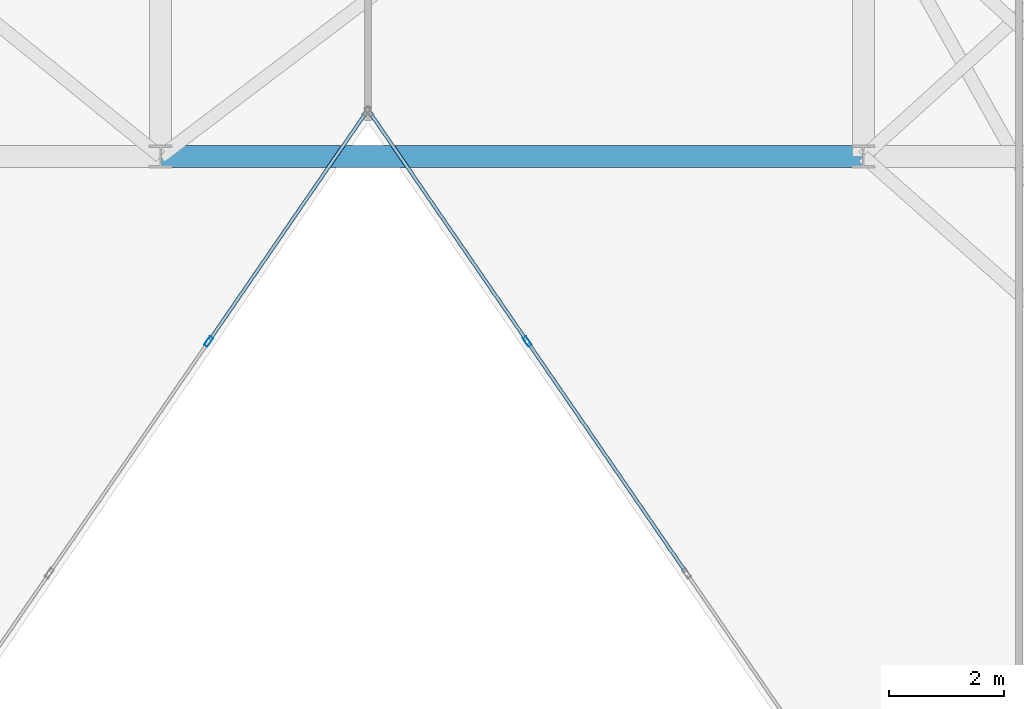
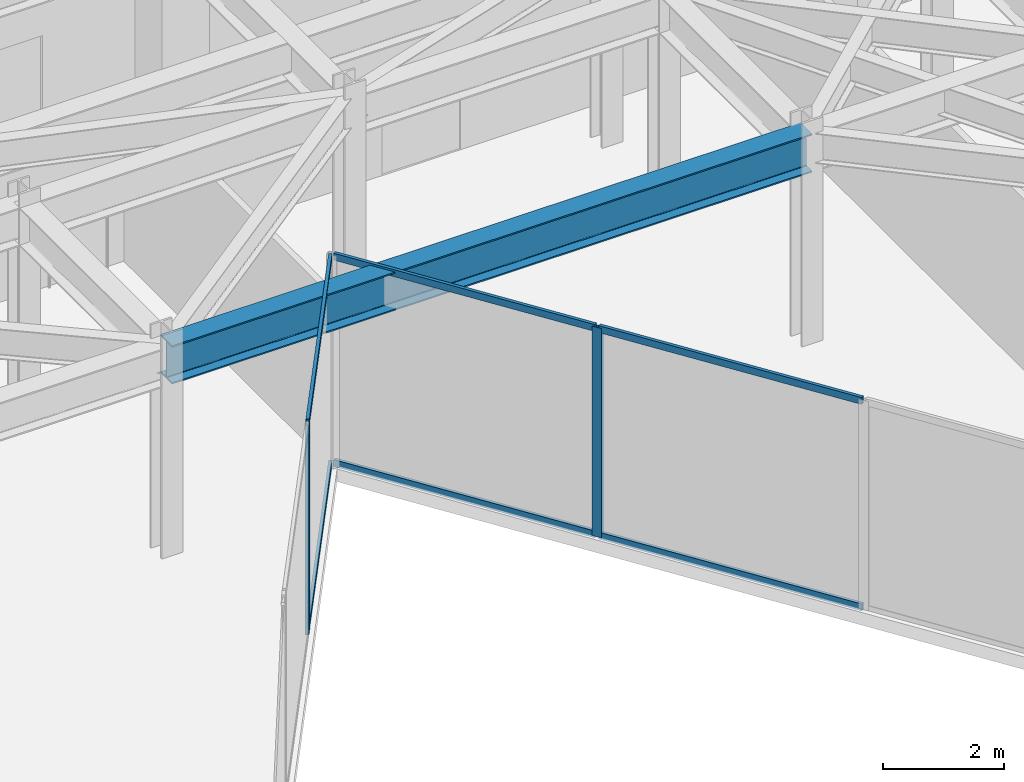
# One storey, part 7 of 25: 8 members, 1 beam, 2 elements without a shape of their own.
"""IFC4 building model written with IfcOpenShell, lengths in metres."""

from ifc_helpers import new_model, si_unit, direction, frame, origin, origin_2d, place, context, subcontext, project, spatial, hollow_rectangle, i_section, extrude, material, layer, layer_set, material_profile, profile_set, type_object, element, aggregate, save


model = new_model("IFC4")

# Units and contexts
model_context = context("Model", 3, precision=1e-05, world=origin(), true_north=direction((0.0, 1.0)))
body_context = subcontext(model_context, "Body", "Model", "MODEL_VIEW")
ifc_project = project(units=[si_unit("LENGTHUNIT", "METRE"), si_unit("AREAUNIT", "SQUARE_METRE"), si_unit("VOLUMEUNIT", "CUBIC_METRE"), si_unit("PLANEANGLEUNIT", "RADIAN"), si_unit("MASSUNIT", "GRAM", prefix="KILO")], contexts=[model_context])

# Site, building, storey
site_placement = place(None, origin())
site = spatial("IfcSite", under=ifc_project, at=site_placement, CompositionType="ELEMENT")
building_placement = place(site_placement, origin())
building = spatial("IfcBuilding", under=site, at=building_placement, Name="Kravanh Interchange Tower", CompositionType="ELEMENT")
storey_placement = place(building_placement, frame((0.0, 0.0, 220.5)))
storey = spatial("IfcBuildingStorey", under=building, at=storey_placement, Name="L53", CompositionType="ELEMENT", Elevation=220.5)

# Curtain wall, member
ifc_material_1 = material(Name="Anodised Bronze Aluminium", Category="aluminium")
ifc_layer = layer(ifc_material_1, 0.179931640625)
ifc_layer_set = layer_set([ifc_layer], Name="Unitised Curtain Wall System CW-SKY Sky Observatory")
curtain_wall_type = type_object("IfcCurtainWallType", Name="Unitised Curtain Wall System CW-SKY Sky Observatory", PredefinedType="NOTDEFINED", material=ifc_layer_set)
curtain_wall_1_placement = place(storey_placement, origin())
curtain_wall_1 = element("IfcCurtainWall", 1, at=curtain_wall_1_placement, inside=storey, type_object=curtain_wall_type, Name="L53 Unitised Curtain Wall CW-L53-05", PredefinedType="NOTDEFINED")
ifc_material_2 = material(Name="Anodised Bronze Aluminium", Category="aluminium")
ifc_material_profile_1 = material_profile(ifc_material_2, hollow_rectangle(XDim=0.070068359375, YDim=0.179931640625, WallThickness=0.00390625, at=origin_2d()), Name="ALU70X180X4")
ifc_profile_set_1 = profile_set([ifc_material_profile_1], Name="Anodised Bronze Aluminium")
member_type_1 = type_object("IfcMemberType", Name="Curtain Wall Mullion ALU70X180X4 Bronze", PredefinedType="MULLION", material=ifc_profile_set_1)
member_1_placement = place(storey_placement, frame((44.9658203125, 23.5888671875, 0.0), z_axis=(0.0, 0.0, 1.0), x_axis=(-0.824042223035, -0.566528388217, 0.0)))
member_1 = element("IfcMember", 2, at=member_1_placement, type_object=member_type_1, Name="CW-SKY mullion 4", PredefinedType="MULLION", context=body_context, shape_type="SweptSolid", body=[
    extrude(hollow_rectangle(XDim=0.070068359375, YDim=0.179931640625, WallThickness=0.00390625, at=origin_2d()), origin(), (0.0, 0.0, 1.0), 4.219970703125),
])

curtain_wall_2_placement = place(storey_placement, origin())
curtain_wall_2 = element("IfcCurtainWall", 3, at=curtain_wall_2_placement, inside=storey, type_object=curtain_wall_type, Name="L53 Unitised Curtain Wall CW-L53-06", PredefinedType="NOTDEFINED")
member_2_placement = place(storey_placement, frame((39.434326171875, 23.5888671875, 0.0), z_axis=(0.0, 0.0, 1.0), x_axis=(0.824042223035, -0.566528388217, 0.0)))
member_2 = element("IfcMember", 4, at=member_2_placement, type_object=member_type_1, Name="CW-SKY mullion 2", PredefinedType="MULLION", context=body_context, shape_type="SweptSolid", body=[
    extrude(hollow_rectangle(XDim=0.070068359375, YDim=0.179931640625, WallThickness=0.00390625, at=origin_2d()), origin(), (0.0, 0.0, 1.0), 4.219970703125),
])

# Member
ifc_material_3 = material(Name="Anodised Bronze Aluminium", Category="aluminium")
ifc_material_profile_2 = material_profile(ifc_material_3, hollow_rectangle(XDim=0.06005859375, YDim=0.139892578125, WallThickness=0.00390625, at=origin_2d()), Name="ALU60X140X4")
ifc_profile_set_2 = profile_set([ifc_material_profile_2], Name="Anodised Bronze Aluminium")
member_type_2 = type_object("IfcMemberType", Name="Curtain Wall Transom ALU60X140X4 Bronze", PredefinedType="USERDEFINED", material=ifc_profile_set_2)
member_3_placement = place(storey_placement, frame((47.711669921875, 19.5947265625, 0.030029296875), z_axis=(-0.566515903357, 0.824050806227, 0.0), x_axis=(-0.824050806227, -0.566515903357, 0.0)))
member_3 = element("IfcMember", 5, at=member_3_placement, type_object=member_type_2, Name="CW-SKY transom 3.1", ObjectType="TRANSOM", PredefinedType="USERDEFINED", context=body_context, shape_type="SweptSolid", body=[
    extrude(hollow_rectangle(XDim=0.06005859375, YDim=0.139892578125, WallThickness=0.00390625, at=origin_2d()), origin(), (0.0, 0.0, 1.0), 4.81201171875),
])

member_4_placement = place(storey_placement, frame((47.711669921875, 19.5947265625, 4.18994140625), z_axis=(-0.566515903357, 0.824050806227, 0.0), x_axis=(-0.824050806227, -0.566515903357, 0.0)))
member_4 = element("IfcMember", 6, at=member_4_placement, type_object=member_type_2, Name="CW-SKY transom 3.2", ObjectType="TRANSOM", PredefinedType="USERDEFINED", context=body_context, shape_type="SweptSolid", body=[
    extrude(hollow_rectangle(XDim=0.06005859375, YDim=0.139892578125, WallThickness=0.00390625, at=origin_2d()), origin(), (0.0, 0.0, 1.0), 4.81201171875),
])

member_5_placement = place(storey_placement, frame((44.946044921875, 23.61767578125, 0.030029296875), z_axis=(-0.566520146881, 0.824047888886, 0.0), x_axis=(-0.824047888886, -0.566520146881, 0.0)))
member_5 = element("IfcMember", 7, at=member_5_placement, type_object=member_type_2, Name="CW-SKY transom 4.1", ObjectType="TRANSOM", PredefinedType="USERDEFINED", context=body_context, shape_type="SweptSolid", body=[
    extrude(hollow_rectangle(XDim=0.06005859375, YDim=0.139892578125, WallThickness=0.00390625, at=origin_2d()), origin(), (0.0, 0.0, 1.0), 4.777099609375),
])

member_6_placement = place(storey_placement, frame((44.946044921875, 23.61767578125, 4.18994140625), z_axis=(-0.566520146881, 0.824047888886, 0.0), x_axis=(-0.824047888886, -0.566520146881, 0.0)))
member_6 = element("IfcMember", 8, at=member_6_placement, type_object=member_type_2, Name="CW-SKY transom 4.2", ObjectType="TRANSOM", PredefinedType="USERDEFINED", context=body_context, shape_type="SweptSolid", body=[
    extrude(hollow_rectangle(XDim=0.06005859375, YDim=0.139892578125, WallThickness=0.00390625, at=origin_2d()), origin(), (0.0, 0.0, 1.0), 4.777099609375),
])

aggregate(curtain_wall_1, [member_1, member_3, member_4, member_5, member_6])

member_7_placement = place(storey_placement, frame((42.160400390625, 27.55419921875, 0.030029296875), z_axis=(-0.566520146881, -0.824047888886, 0.0), x_axis=(0.824047888886, -0.566520146881, 0.0)))
member_7 = element("IfcMember", 9, at=member_7_placement, type_object=member_type_2, Name="CW-SKY transom 1.1", ObjectType="TRANSOM", PredefinedType="USERDEFINED", context=body_context, shape_type="SweptSolid", body=[
    extrude(hollow_rectangle(XDim=0.06005859375, YDim=0.139892578125, WallThickness=0.00390625, at=origin_2d()), origin(), (0.0, 0.0, 1.0), 4.777099609375),
])

member_8_placement = place(storey_placement, frame((42.160400390625, 27.55419921875, 4.18994140625), z_axis=(-0.566520146881, -0.824047888886, 0.0), x_axis=(0.824047888886, -0.566520146881, 0.0)))
member_8 = element("IfcMember", 10, at=member_8_placement, type_object=member_type_2, Name="CW-SKY transom 1.2", ObjectType="TRANSOM", PredefinedType="USERDEFINED", context=body_context, shape_type="SweptSolid", body=[
    extrude(hollow_rectangle(XDim=0.06005859375, YDim=0.139892578125, WallThickness=0.00390625, at=origin_2d()), origin(), (0.0, 0.0, 1.0), 4.777099609375),
])

aggregate(curtain_wall_2, [member_2, member_7, member_8])

# Beam
ifc_material_4 = material(Name="Structural Steel S355", Category="steel")
ifc_material_profile_3 = material_profile(ifc_material_4, i_section(OverallWidth=0.381103515625, OverallDepth=0.77294921875, WebThickness=0.0166015625, FlangeThickness=0.027099609375, FilletRadius=0.02490234375, at=origin_2d()), Name="W30X173")
ifc_profile_set_3 = profile_set([ifc_material_profile_3], Name="Structural Steel S355")
beam_type = type_object("IfcBeamType", Name="Floor Beam W30X173 Structural Steel S355", PredefinedType="BEAM", material=ifc_profile_set_3)
beam_placement = place(storey_placement, frame((38.60009765625, 26.800048828125, 3.83349609375), z_axis=(1.0, 0.0, 0.0), x_axis=(0.0, 1.0, 0.0)))
element("IfcBeam", 11, at=beam_placement, inside=storey, type_object=beam_type, Name="L53 Primary Floor Girder 48", PredefinedType="BEAM", context=body_context, shape_type="SweptSolid", body=[
    extrude(i_section(OverallWidth=0.381103515625, OverallDepth=0.77294921875, WebThickness=0.0166015625, FlangeThickness=0.027099609375, FilletRadius=0.02490234375, at=origin_2d()), origin(), (0.0, 0.0, 1.0), 12.199951171875),
])

save(model, "model.ifc")
